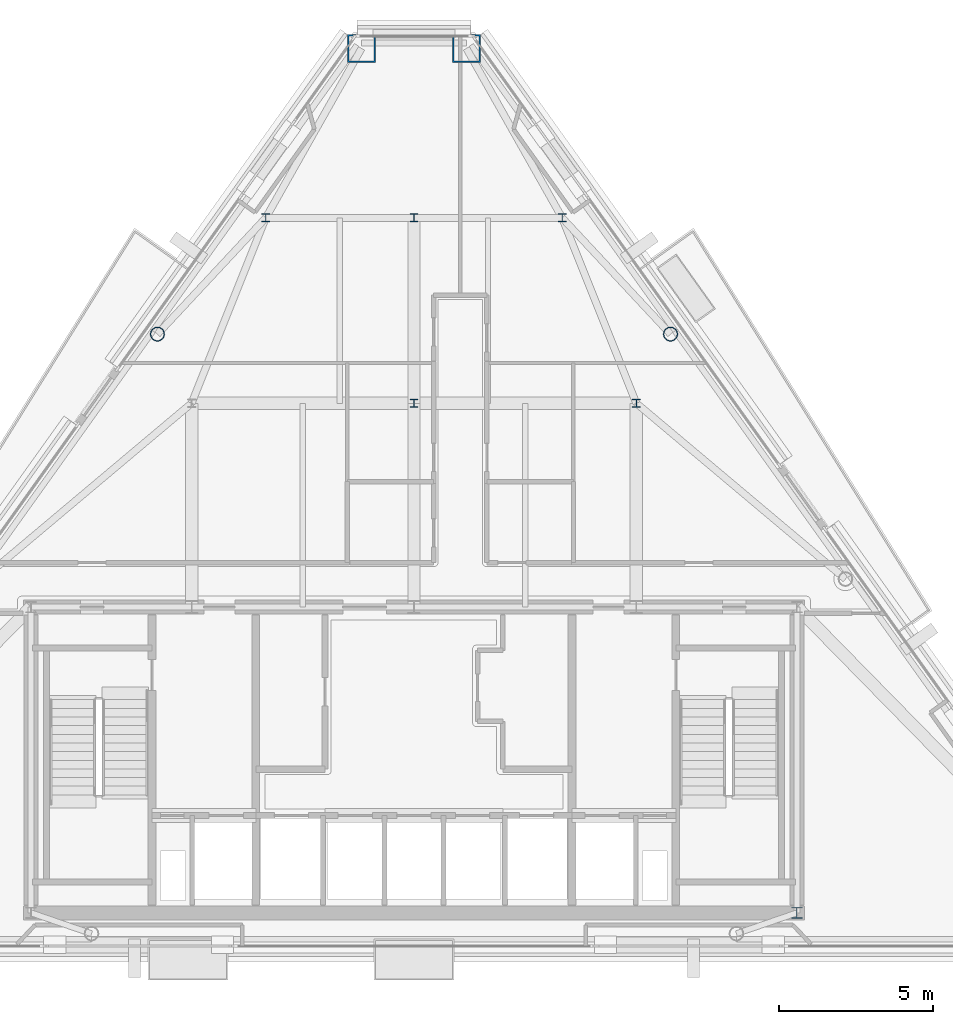
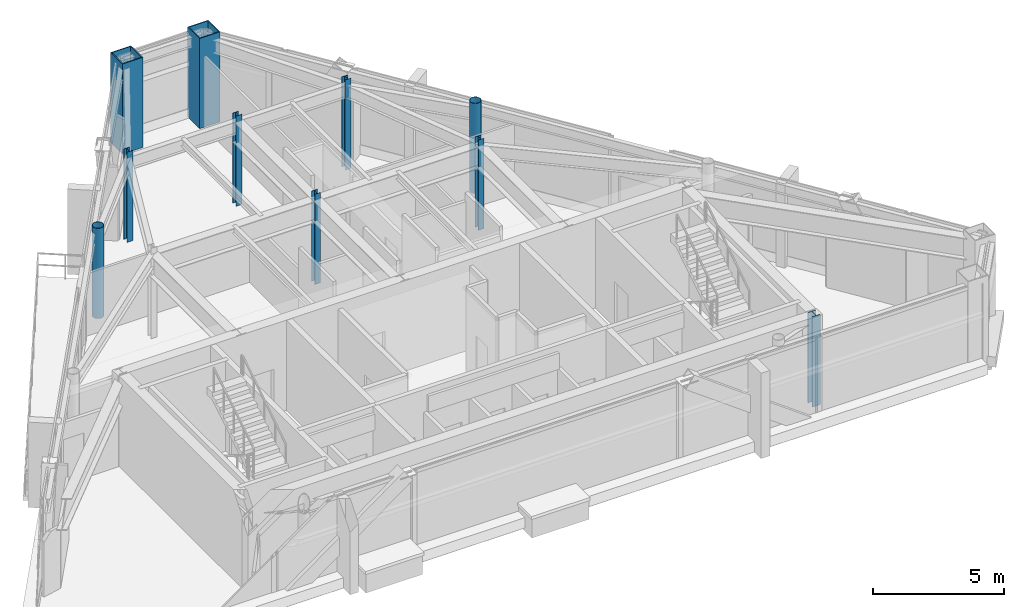
# One storey, part 2 of 12: 10 columns.
"""IFC4 building model written with IfcOpenShell, lengths in metres."""

import ifcopenshell
import ifcopenshell.guid

model = None  # the IFC model being written
_history = None  # IfcOwnerHistory: only IFC2X3 demands one
_inside = {}  # id of a spatial element -> (the spatial element, [elements in it])
_under = {}  # id of a project, library or spatial element -> (it, [spatial elements below it])
_declared = {}  # id of a project -> (the project, [libraries it declares])
_typed = {}  # id of a type object -> (the type object, [elements of that type])
_made_of = {}  # id of a material, layer set ... -> (it, [elements and type objects made of it])


def new_model(schema):
    """Start an empty IFC model of exactly this schema.

    Asked for "IFC4X3", IfcOpenShell would pick the latest addendum, in which some entities
    have other attributes; the version numbers below select the first issue.
    IFC2X3 requires an IfcOwnerHistory on every rooted entity: one is made here for all.
    """
    global model, _history
    if schema == "IFC4X3":
        model = ifcopenshell.file(schema_version=(4, 3, 0, 0))
    else:
        model = ifcopenshell.file(schema=schema)
    _inside.clear()
    _under.clear()
    _declared.clear()
    _typed.clear()
    _made_of.clear()
    _history = None
    if model.schema == "IFC2X3":
        org = make("IfcOrganization", Name="unknown")
        user = make(
            "IfcPersonAndOrganization",
            ThePerson=make("IfcPerson", FamilyName="unknown"),
            TheOrganization=org,
        )
        app = make(
            "IfcApplication",
            ApplicationDeveloper=org,
            Version="unknown",
            ApplicationFullName="unknown",
            ApplicationIdentifier="unknown",
        )
        _history = make(
            "IfcOwnerHistory",
            OwningUser=user,
            OwningApplication=app,
            ChangeAction="ADDED",
            CreationDate=0,
        )
    return model


def make(cls, **values):
    """One entity of the class cls with the attributes given. An attribute that is None is left unset."""
    return model.create_entity(
        cls, **{name: value for name, value in values.items() if value is not None}
    )


def rooted(cls, **values):
    """An entity with a GlobalId (a new one), such as an element, a storey or a relation."""
    return make(cls, GlobalId=ifcopenshell.guid.new(), OwnerHistory=_history, **values)


def si_unit(unit_type, name, prefix=None):
    """IfcSIUnit, for example si_unit("LENGTHUNIT", "METRE", prefix="MILLI")."""
    return make("IfcSIUnit", UnitType=unit_type, Prefix=prefix, Name=name)


def assignment(units):
    """IfcUnitAssignment: the units of a project."""
    return None if units is None else make("IfcUnitAssignment", Units=units)


def point(xyz):
    """IfcCartesianPoint."""
    return None if xyz is None else make("IfcCartesianPoint", Coordinates=xyz)


def direction(xyz):
    """IfcDirection."""
    return None if xyz is None else make("IfcDirection", DirectionRatios=xyz)


def frame(location, z_axis=None, x_axis=None):
    """IfcAxis2Placement3D, a coordinate frame: its origin and axes. An axis left out is left unset."""
    return make(
        "IfcAxis2Placement3D",
        Location=point(location),
        Axis=direction(z_axis),
        RefDirection=direction(x_axis),
    )


def frame_2d(location, x_axis=None):
    """IfcAxis2Placement2D, a coordinate frame in the plane: its origin and x axis."""
    return make(
        "IfcAxis2Placement2D", Location=point(location), RefDirection=direction(x_axis)
    )


def origin():
    """The frame at (0, 0, 0) with its axes left unset."""
    return frame((0.0, 0.0, 0.0))


def origin_2d():
    """The frame at (0, 0) in the plane with its x axis left unset."""
    return frame_2d((0.0, 0.0))


def place(relative_to, where):
    """IfcLocalPlacement: puts the frame where relative to a parent placement (None: the world)."""
    return make(
        "IfcLocalPlacement", PlacementRelTo=relative_to, RelativePlacement=where
    )


def context(
    kind, dimensions, precision=None, world=None, true_north=None, identifier=None
):
    """IfcGeometricRepresentationContext, for example the 3D "Model" context."""
    return make(
        "IfcGeometricRepresentationContext",
        ContextIdentifier=identifier,
        ContextType=kind,
        CoordinateSpaceDimension=dimensions,
        Precision=precision,
        WorldCoordinateSystem=world,
        TrueNorth=true_north,
    )


def subcontext(parent, identifier, kind, view, scale=None):
    """IfcGeometricRepresentationSubContext, for example "Body" below "Model"."""
    return make(
        "IfcGeometricRepresentationSubContext",
        ContextIdentifier=identifier,
        ContextType=kind,
        ParentContext=parent,
        TargetScale=scale,
        TargetView=view,
    )


def project(units=None, contexts=None):
    """IfcProject with its units and contexts."""
    return rooted(
        "IfcProject",
        Name="project",
        RepresentationContexts=contexts,
        UnitsInContext=assignment(units),
    )


def spatial(cls, under=None, at=None, **own):
    """A site, building, storey or space (cls), placed at a placement, below another one or the project."""
    s = rooted(cls, ObjectPlacement=at, **own)
    if under is not None:
        _under.setdefault(under.id(), (under, []))[1].append(s)
    return s


def profile(cls, at=None, kind="AREA", **sizes):
    """A parametric profile (cls). Its sizes go by their IFC names, for example OverallWidth=200.0."""
    return make(cls, ProfileType=kind, Position=at, **sizes)


def hollow_rectangle(**sizes):
    """IfcRectangleHollowProfileDef."""
    return profile("IfcRectangleHollowProfileDef", **sizes)


def hollow_circle(**sizes):
    """IfcCircleHollowProfileDef."""
    return profile("IfcCircleHollowProfileDef", **sizes)


def i_section(**sizes):
    """IfcIShapeProfileDef."""
    return profile("IfcIShapeProfileDef", **sizes)


def extrude(swept, where, along, depth):
    """IfcExtrudedAreaSolid: the profile swept, set in the frame where, extruded along a direction by depth."""
    return make(
        "IfcExtrudedAreaSolid",
        SweptArea=swept,
        Position=where,
        ExtrudedDirection=direction(along),
        Depth=depth,
    )


def shape(context_of_items, identifier, shape_type, items):
    """IfcShapeRepresentation: the items that make up one representation, for example the "Body"."""
    return make(
        "IfcShapeRepresentation",
        ContextOfItems=context_of_items,
        RepresentationIdentifier=identifier,
        RepresentationType=shape_type,
        Items=items,
    )


def material(Name=None, Category=None):
    """IfcMaterial."""
    return make("IfcMaterial", Name=Name, Category=Category)


def material_profile(
    of_material, cross_section, Name=None, Category=None, Priority=None
):
    """IfcMaterialProfile: a cross section and its material."""
    return make(
        "IfcMaterialProfile",
        Name=Name,
        Material=of_material,
        Profile=cross_section,
        Priority=Priority,
        Category=Category,
    )


def profile_set(profiles, Name=None, composite=None):
    """IfcMaterialProfileSet."""
    return make(
        "IfcMaterialProfileSet",
        Name=Name,
        MaterialProfiles=profiles,
        CompositeProfile=composite,
    )


def made_of(thing, what):
    """Note that an element or type object is made of a material, layer set ...; save() writes the relation."""
    if what is not None:
        _made_of.setdefault(what.id(), (what, []))[1].append(thing)
    return thing


def type_object(cls, material=None, **own):
    """A type object (cls), such as IfcWallType, which elements share."""
    return made_of(rooted(cls, **own), material)


def element(
    cls,
    number,
    at=None,
    inside=None,
    cuts=None,
    type_object=None,
    material=None,
    context=None,
    identifier="Body",
    shape_type=None,
    held_by="IfcProductDefinitionShape",
    body=None,
    shapes=None,
    **own,
):
    """One element of the class cls, such as IfcWall. Its Tag is "e" and its number.

    at: its placement. inside: the storey or other place that contains it. cuts: it is an
    opening in that element (IfcRelVoidsElement). A single representation is given by context,
    identifier, shape_type and body (its items); several are given by shapes. held_by: the class
    of the entity that holds the representations. save() writes the other relations.
    """
    e = rooted(cls, Tag="e%d" % number, ObjectPlacement=at, **own)
    if body is not None:
        shapes = [shape(context, identifier, shape_type, body)]
    if shapes is not None:
        e.Representation = make(held_by, Representations=shapes)
    if inside is not None:
        _inside.setdefault(inside.id(), (inside, []))[1].append(e)
    if cuts is not None:
        rooted(
            "IfcRelVoidsElement", RelatingBuildingElement=cuts, RelatedOpeningElement=e
        )
    if type_object is not None:
        _typed.setdefault(type_object.id(), (type_object, []))[1].append(e)
    return made_of(e, material)


def aggregate(whole, parts):
    """IfcRelAggregates: a whole, such as a stair, and the parts it consists of."""
    return rooted("IfcRelAggregates", RelatingObject=whole, RelatedObjects=parts)


def save(model, path):
    """Write the relations noted so far, then the file.

    IfcRelAggregates (storeys below a building ...), IfcRelContainedInSpatialStructure (elements
    in a storey), IfcRelDefinesByType, IfcRelAssociatesMaterial and IfcRelDeclares: one each for
    every whole, place, type object, material and project.
    """
    for whole, parts in _under.values():
        aggregate(whole, parts)
    for where, things in _inside.values():
        rooted(
            "IfcRelContainedInSpatialStructure",
            RelatedElements=things,
            RelatingStructure=where,
        )
    for kind, things in _typed.values():
        rooted("IfcRelDefinesByType", RelatedObjects=things, RelatingType=kind)
    for what, things in _made_of.values():
        rooted("IfcRelAssociatesMaterial", RelatedObjects=things, RelatingMaterial=what)
    for by, libraries in _declared.values():
        rooted("IfcRelDeclares", RelatingContext=by, RelatedDefinitions=libraries)
    model.write(path)


model = new_model("IFC4")

# Units and contexts
model_context = context("Model", 3, precision=1e-05, world=origin(), true_north=direction((0.0, 1.0)))
body_context = subcontext(model_context, "Body", "Model", "MODEL_VIEW")
ifc_project = project(units=[si_unit("LENGTHUNIT", "METRE"), si_unit("AREAUNIT", "SQUARE_METRE"), si_unit("VOLUMEUNIT", "CUBIC_METRE"), si_unit("PLANEANGLEUNIT", "RADIAN"), si_unit("MASSUNIT", "GRAM", prefix="KILO")], contexts=[model_context])

# Site, building, storey
site_placement = place(None, origin())
site = spatial("IfcSite", under=ifc_project, at=site_placement, CompositionType="ELEMENT")
building_placement = place(site_placement, origin())
building = spatial("IfcBuilding", under=site, at=building_placement, Name="Talgorran Terracotta Tower", CompositionType="ELEMENT")
storey_placement = place(building_placement, frame((0.0, 0.0, 285.0)))
storey = spatial("IfcBuildingStorey", under=building, at=storey_placement, Name="L75", CompositionType="ELEMENT", Elevation=285.0)

# Columns
ifc_material_1 = material(Name="Steel S355 (300PLUS)", Category="steel")
ifc_material_profile_1 = material_profile(ifc_material_1, i_section(OverallWidth=0.256103515625, OverallDepth=0.260009765625, WebThickness=0.010498046875, FlangeThickness=0.017333984375, at=origin_2d()), Name="250UC89.5")
ifc_profile_set_1 = profile_set([ifc_material_profile_1], Name="Steel S355 (300PLUS)")
column_type_1 = type_object("IfcColumnType", Name="COL_250UC89", PredefinedType="COLUMN", material=ifc_profile_set_1)
for number, where, z_axis, x_axis, name in (
    (1, (0.0, 2.39990234375, 0.0), (0.0, 0.0, 1.0), (1.0, 0.0, 0.0), "L75 Interior Gravity Column IC2"),
    (2, (7.199951171875, 2.39990234375, 0.0), (0.0, 0.0, 1.0), (1.0, 0.0, 0.0), "L75 Interior Gravity Column IC3"),
    (3, (-4.800048828125, 8.39990234375, 0.0), (0.0, 0.0, 1.0), (1.0, 0.0, 0.0), "L75 Interior Gravity Column IC4"),
    (4, (0.0, 8.39990234375, 0.0), (0.0, 0.0, 1.0), (1.0, 0.0, 0.0), "L75 Interior Gravity Column IC5"),
    (5, (4.800048828125, 8.39990234375, 0.0), (0.0, 0.0, 1.0), (1.0, 0.0, 0.0), "L75 Interior Gravity Column IC6"),
):
    element("IfcColumn", number, at=place(storey_placement, frame(where, z_axis=z_axis, x_axis=x_axis)), inside=storey, type_object=column_type_1, Name=name, PredefinedType="COLUMN", context=body_context, shape_type="SweptSolid", body=[
        extrude(i_section(OverallWidth=0.256103515625, OverallDepth=0.260009765625, WebThickness=0.010498046875, FlangeThickness=0.017333984375, at=origin_2d()), origin(), (0.0, 0.0, 1.0), 4.199951171875),
    ])
ifc_material_profile_2 = material_profile(ifc_material_1, i_section(OverallWidth=0.35205078125, OverallDepth=0.35888671875, WebThickness=0.01806640625, FlangeThickness=0.02587890625, at=origin_2d()), Name="350WC197")
ifc_profile_set_2 = profile_set([ifc_material_profile_2], Name="Steel S355 (300PLUS)")
column_type_2 = type_object("IfcColumnType", Name="COL_350WC197", PredefinedType="COLUMN", material=ifc_profile_set_2)
column_placement = place(storey_placement, frame((12.39990234375, -14.10009765625, 0.0), z_axis=(0.0, 0.0, 1.0), x_axis=(1.0, 0.0, 0.0)))
element("IfcColumn", 6, at=column_placement, inside=storey, type_object=column_type_2, Name="L75 Core Boundary Column CC2", PredefinedType="COLUMN", context=body_context, shape_type="SweptSolid", body=[
    extrude(i_section(OverallWidth=0.35205078125, OverallDepth=0.35888671875, WebThickness=0.01806640625, FlangeThickness=0.02587890625, at=origin_2d()), origin(), (0.0, 0.0, 1.0), 4.199951171875),
])
ifc_material_2 = material(Name="Steel Grade 350 (350L0)", Category="steel")
ifc_material_profile_3 = material_profile(ifc_material_2, hollow_rectangle(XDim=0.89990234375, YDim=0.89990234375, WallThickness=0.0400390625, at=origin_2d()), Name="CFT900X900X40")
ifc_profile_set_3 = profile_set([ifc_material_profile_3], Name="Steel Grade 350 (350L0)")
column_type_3 = type_object("IfcColumnType", Name="COL_CFT_900", PredefinedType="COLUMN", material=ifc_profile_set_3)
for number, where, z_axis, x_axis, name in (
    (7, (1.697998046875, 13.889404296875, 0.0), (0.0, 0.0, 1.0), (1.0, 0.0, 0.0), "L75 Corner CFT Mega-Column MC5"),
    (8, (-1.697998046875, 13.889404296875, 0.0), (0.0, 0.0, 1.0), (1.0, 0.0, 0.0), "L75 Corner CFT Mega-Column MC6"),
):
    element("IfcColumn", number, at=place(storey_placement, frame(where, z_axis=z_axis, x_axis=x_axis)), inside=storey, type_object=column_type_3, Name=name, PredefinedType="COLUMN", context=body_context, shape_type="SweptSolid", body=[
        extrude(hollow_rectangle(XDim=0.89990234375, YDim=0.89990234375, WallThickness=0.0400390625, at=origin_2d()), origin(), (0.0, 0.0, 1.0), 4.199951171875),
    ])
ifc_material_3 = material(Name="Steel S350 (C350L0)", Category="steel")
ifc_material_profile_4 = material_profile(ifc_material_3, hollow_circle(Radius=0.228515625, WallThickness=0.01611328125, at=origin_2d()), Name="CHS457X16")
ifc_profile_set_4 = profile_set([ifc_material_profile_4], Name="Steel S350 (C350L0)")
column_type_4 = type_object("IfcColumnType", Name="COL_CHS_457", PredefinedType="COLUMN", material=ifc_profile_set_4)
for number, where, z_axis, x_axis, name in (
    (9, (8.30615234375, 4.63818359375, 0.0), (0.0, 0.0, 1.0), (1.0, 0.0, 0.0), "L75 Facet Perimeter Column FC4"),
    (10, (-8.30615234375, 4.63818359375, 0.0), (0.0, 0.0, 1.0), (1.0, 0.0, 0.0), "L75 Facet Perimeter Column FC5"),
):
    element("IfcColumn", number, at=place(storey_placement, frame(where, z_axis=z_axis, x_axis=x_axis)), inside=storey, type_object=column_type_4, Name=name, PredefinedType="COLUMN", context=body_context, shape_type="SweptSolid", body=[
        extrude(hollow_circle(Radius=0.228515625, WallThickness=0.01611328125, at=origin_2d()), origin(), (0.0, 0.0, 1.0), 4.199951171875),
    ])

save(model, "model.ifc")
